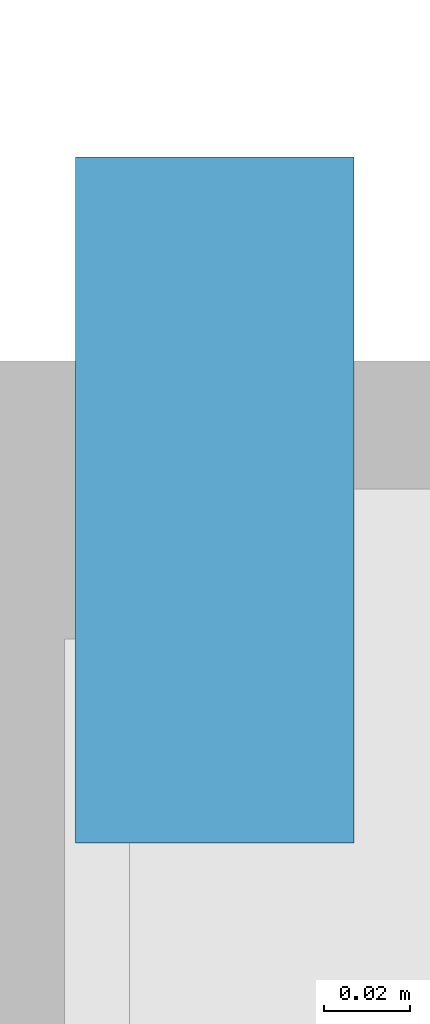
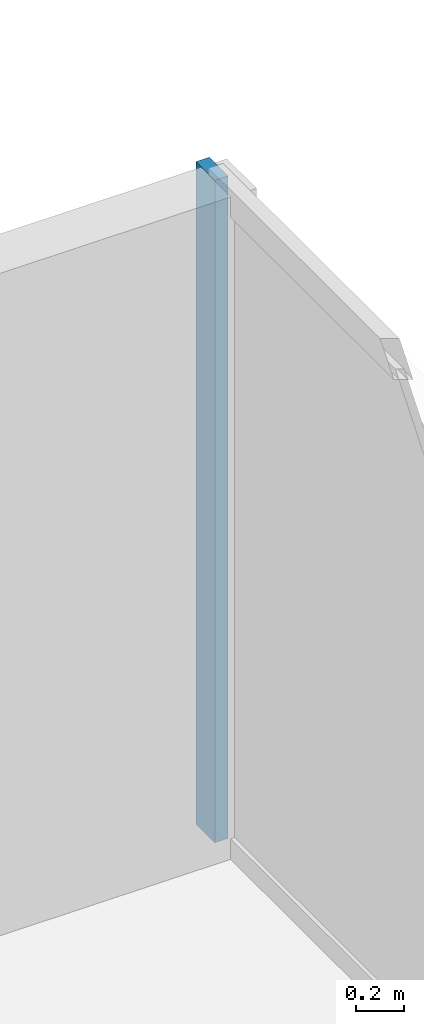
# One storey, part 6 of 14: 1 member, 1 element without a shape of its own.
"""IFC4 building model written with IfcOpenShell, lengths in metres."""

from ifc_helpers import new_model, si_unit, direction, frame, origin, origin_2d, place, context, subcontext, project, spatial, rectangle, extrude, material, layer, layer_set, material_profile, profile_set, type_object, element, aggregate, save


model = new_model("IFC4")

# Units and contexts
model_context = context("Model", 3, precision=1e-05, world=origin(), true_north=direction((0.0, 1.0)))
body_context = subcontext(model_context, "Body", "Model", "MODEL_VIEW")
ifc_project = project(units=[si_unit("LENGTHUNIT", "METRE"), si_unit("AREAUNIT", "SQUARE_METRE"), si_unit("VOLUMEUNIT", "CUBIC_METRE"), si_unit("PLANEANGLEUNIT", "RADIAN"), si_unit("MASSUNIT", "GRAM", prefix="KILO")], contexts=[model_context])

# Site, building, storey
site_placement = place(None, origin())
site = spatial("IfcSite", under=ifc_project, at=site_placement, CompositionType="ELEMENT")
building_placement = place(site_placement, origin())
building = spatial("IfcBuilding", under=site, at=building_placement, Name="Kinhvarn Gate Tower", CompositionType="ELEMENT")
storey_placement = place(building_placement, frame((0.0, 0.0, 252.800048828125)))
storey = spatial("IfcBuildingStorey", under=building, at=storey_placement, Name="L67", CompositionType="ELEMENT", Elevation=252.800048828125)

# Curtain wall, member
ifc_material = material(Name="Anodised aluminium AW-6063", Category="aluminium")
ifc_layer = layer(ifc_material, 0.179931640625)
ifc_layer_set = layer_set([ifc_layer], Name="Anodised aluminium AW-6063")
curtain_wall_type = type_object("IfcCurtainWallType", Name="CW-SYS-3", PredefinedType="NOTDEFINED", material=ifc_layer_set)
curtain_wall_placement = place(storey_placement, origin())
curtain_wall = element("IfcCurtainWall", 1, at=curtain_wall_placement, inside=storey, type_object=curtain_wall_type, Name="Curtain Wall CW3 (L67)", PredefinedType="NOTDEFINED")
ifc_material_profile = material_profile(ifc_material, rectangle(XDim=0.06494140625, YDim=0.159912109375, at=origin_2d()), Name="ALU 65x160")
ifc_profile_set = profile_set([ifc_material_profile], Name="Anodised aluminium AW-6063")
member_type = type_object("IfcMemberType", Name="CW-MUL-160", PredefinedType="MULLION", material=ifc_profile_set)
member_placement = place(storey_placement, frame((44.409912109375, 39.367431640625, 0.0), z_axis=(0.0, 0.0, 1.0), x_axis=(-1.0, 0.0, 0.0)))
member = element("IfcMember", 2, at=member_placement, type_object=member_type, Name="CW3 mullion 7", PredefinedType="MULLION", context=body_context, shape_type="SweptSolid", body=[
    extrude(rectangle(XDim=0.06494140625, YDim=0.159912109375, at=origin_2d()), origin(), (0.0, 0.0, 1.0), 3.389892578125),
])
aggregate(curtain_wall, [member])

save(model, "model.ifc")
